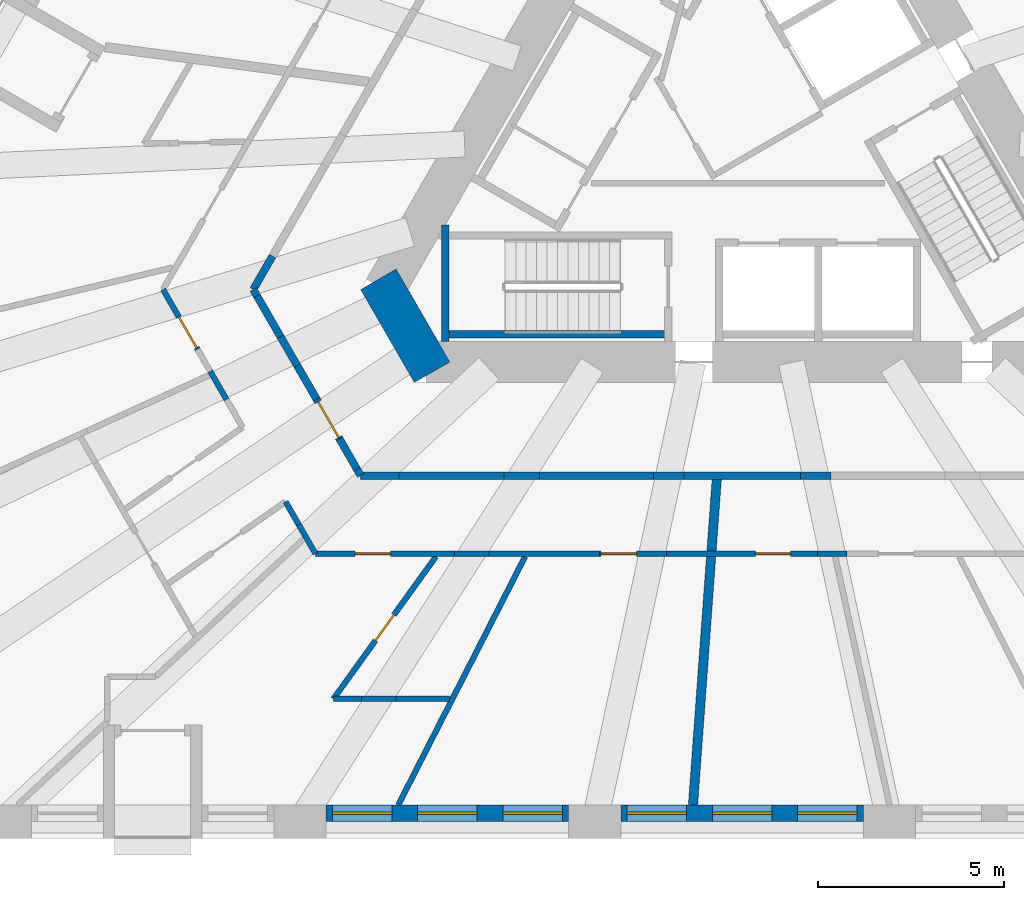
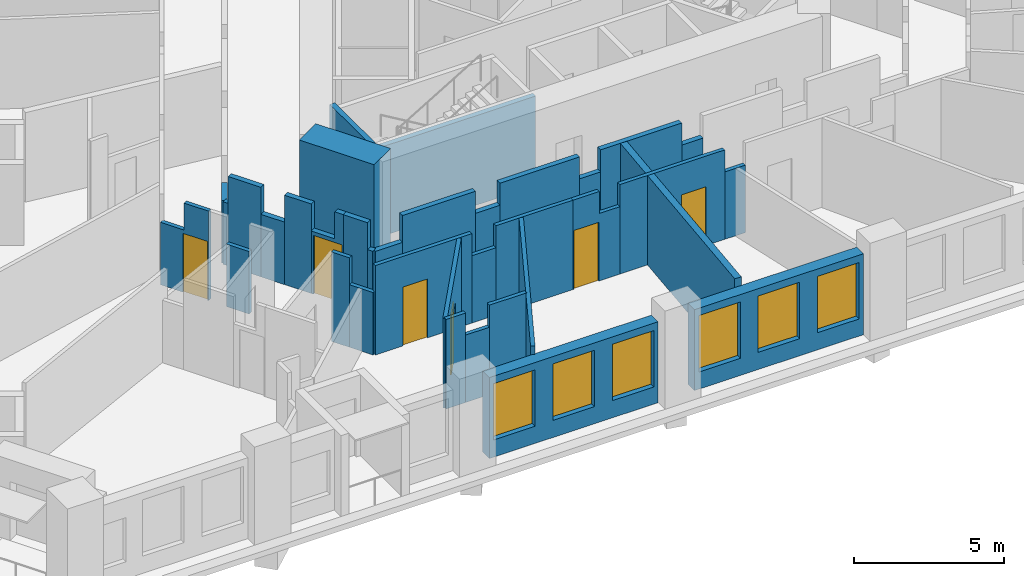
# One storey, part 3 of 14: 36 walls, 6 doors, 6 windows, 12 openings.
"""IFC4 building model written with IfcOpenShell, lengths in metres."""

from ifc_helpers import new_model, si_unit, direction, frame, frame_2d, origin, place, context, subcontext, project, spatial, polyline, rectangle, outline, extrude, material, layer, layer_set, type_object, element, fill, save


model = new_model("IFC4")

# Units and contexts
model_context = context("Model", 3, precision=1e-05, world=origin(), true_north=direction((0.0, 1.0)))
body_context = subcontext(model_context, "Body", "Model", "MODEL_VIEW")
ifc_project = project(units=[si_unit("LENGTHUNIT", "METRE"), si_unit("AREAUNIT", "SQUARE_METRE"), si_unit("VOLUMEUNIT", "CUBIC_METRE"), si_unit("PLANEANGLEUNIT", "RADIAN"), si_unit("MASSUNIT", "GRAM", prefix="KILO")], contexts=[model_context])

# Site, building, storey
site_placement = place(None, origin())
site = spatial("IfcSite", under=ifc_project, at=site_placement, CompositionType="ELEMENT")
building_placement = place(site_placement, origin())
building = spatial("IfcBuilding", under=site, at=building_placement, Name="Tramontana Tower", CompositionType="ELEMENT")
storey_placement = place(building_placement, frame((0.0, 0.0, 30.0)))
storey = spatial("IfcBuildingStorey", under=building, at=storey_placement, Name="L05", CompositionType="ELEMENT", Elevation=30.0)

# Walls
ifc_material_1 = material(Name="Concrete 70 MPa", Category="concrete")
ifc_layer_1 = layer(ifc_material_1, 1.10009765625)
ifc_layer_set_1 = layer_set([ifc_layer_1], Name="Core wall 1100 70 MPa")
wall_type_1 = type_object("IfcWallType", Name="Core wall 1100 70 MPa", PredefinedType="SHEAR", material=ifc_layer_set_1)
wall_1_placement = place(storey_placement, frame((-9.771728515625, -3.97509765625, 0.0), z_axis=(0.0, 0.0, 1.0), x_axis=(0.499995765644, -0.866027848477, 0.0)))
element("IfcWall", 1, at=wall_1_placement, inside=storey, type_object=wall_type_1, Name="Core wall C2 L05", PredefinedType="SHEAR", context=body_context, shape_type="SweptSolid", body=[
    extrude(rectangle(XDim=2.88671875, YDim=1.10009765625, at=frame_2d((1.443359375, 0.0))), origin(), (0.0, 0.0, 1.0), 4.0),
])
ifc_material_2 = material(Name="Blockwork", Category="masonry")
ifc_layer_2 = layer(ifc_material_2, 0.199951171875)
ifc_layer_set_2 = layer_set([ifc_layer_2], Name="ENTRY WALL 200")
wall_type_2 = type_object("IfcWallType", Name="ENTRY WALL 200", PredefinedType="SOLIDWALL", material=ifc_layer_set_2)
wall_2_placement = place(storey_placement, frame((2.383056640625, -9.25, 0.0), z_axis=(0.0, 0.0, 1.0), x_axis=(-1.0, 0.0, 0.0)))
element("IfcWall", 2, at=wall_2_placement, inside=storey, type_object=wall_type_2, Name="Wall v01-ew2-4", PredefinedType="SOLIDWALL", context=body_context, shape_type="SweptSolid", body=[
    extrude(rectangle(XDim=0.81787109375, YDim=0.199951171875, at=frame_2d((0.408935546875, 0.0))), origin(), (0.0, 0.0, 1.0), 2.75),
])
wall_3_placement = place(storey_placement, frame((1.565185546875, -9.25, 0.0), z_axis=(0.0, 0.0, 1.0), x_axis=(-1.0, 0.0, 0.0)))
element("IfcWall", 3, at=wall_3_placement, inside=storey, type_object=wall_type_2, Name="Wall v01-ew2-5", PredefinedType="SOLIDWALL", context=body_context, shape_type="SweptSolid", body=[
    extrude(rectangle(XDim=3.13037109375, YDim=0.199951171875, at=frame_2d((1.565185546875, 0.0))), origin(), (0.0, 0.0, 1.0), 3.64990234375),
])
wall_4_placement = place(storey_placement, frame((-1.565185546875, -9.25, 0.0), z_axis=(0.0, 0.0, 1.0), x_axis=(-1.0, 0.0, 0.0)))
element("IfcWall", 4, at=wall_4_placement, inside=storey, type_object=wall_type_2, Name="Wall v01-ew2-6", PredefinedType="SOLIDWALL", context=body_context, shape_type="SweptSolid", body=[
    extrude(rectangle(XDim=0.81787109375, YDim=0.199951171875, at=frame_2d((0.408935546875, 0.0))), origin(), (0.0, 0.0, 1.0), 2.75),
])
wall_5_placement = place(storey_placement, frame((-2.383056640625, -9.25, 0.0), z_axis=(0.0, 0.0, 1.0), x_axis=(-1.0, 0.0, 0.0)))
element("IfcWall", 5, at=wall_5_placement, inside=storey, type_object=wall_type_2, Name="Wall v01-ew2-7", PredefinedType="SOLIDWALL", context=body_context, shape_type="SweptSolid", body=[
    extrude(rectangle(XDim=3.064453125, YDim=0.199951171875, at=frame_2d((1.5322265625, 0.0))), origin(), (0.0, 0.0, 1.0), 3.64990234375),
])
wall_6_placement = place(storey_placement, frame((-5.447509765625, -9.25, 0.0), z_axis=(0.0, 0.0, 1.0), x_axis=(-1.0, 0.0, 0.0)))
element("IfcWall", 6, at=wall_6_placement, inside=storey, type_object=wall_type_2, Name="Wall v01-ew2-8", PredefinedType="SOLIDWALL", context=body_context, shape_type="SweptSolid", body=[
    extrude(rectangle(XDim=0.949951171875, YDim=0.199951171875, at=frame_2d((0.47509765625, 0.0))), origin(), (0.0, 0.0, 1.0), 2.75),
])
wall_7_placement = place(storey_placement, frame((-6.3974609375, -9.25, 0.0), z_axis=(0.0, 0.0, 1.0), x_axis=(-1.0, 0.0, 0.0)))
element("IfcWall", 7, at=wall_7_placement, inside=storey, type_object=wall_type_2, Name="Wall v01-ew2-9", PredefinedType="SOLIDWALL", context=body_context, shape_type="SweptSolid", body=[
    extrude(rectangle(XDim=2.815185546875, YDim=0.199951171875, at=frame_2d((1.40771484375, 0.0))), origin(), (0.0, 0.0, 1.0), 3.64990234375),
])
wall_8_placement = place(storey_placement, frame((-9.212646484375, -9.25, 0.0), z_axis=(0.0, 0.0, 1.0), x_axis=(-1.0, 0.0, 0.0)))
element("IfcWall", 8, at=wall_8_placement, inside=storey, type_object=wall_type_2, Name="Wall v01-ew2-10", PredefinedType="SOLIDWALL", context=body_context, shape_type="SweptSolid", body=[
    extrude(rectangle(XDim=1.035400390625, YDim=0.199951171875, at=frame_2d((0.517578125, 0.0))), origin(), (0.0, 0.0, 1.0), 2.550048828125),
])
wall_9_placement = place(storey_placement, frame((-10.248046875, -9.25, 0.0), z_axis=(0.0, 0.0, 1.0), x_axis=(-0.499865263774, 0.866103179807, 0.0)))
element("IfcWall", 9, at=wall_9_placement, inside=storey, type_object=wall_type_2, Name="Wall v01-ew3-0", PredefinedType="SOLIDWALL", context=body_context, shape_type="SweptSolid", body=[
    extrude(rectangle(XDim=0.197265625, YDim=0.199951171875, at=frame_2d((0.0986328125, 0.0))), origin(), (0.0, 0.0, 1.0), 2.550048828125),
])
wall_10_placement = place(storey_placement, frame((-10.3466796875, -9.0791015625, 0.0), z_axis=(0.0, 0.0, 1.0), x_axis=(-0.499925626596, 0.866068339032, 0.0)))
element("IfcWall", 10, at=wall_10_placement, inside=storey, type_object=wall_type_2, Name="Wall v01-ew3-1", PredefinedType="SOLIDWALL", context=body_context, shape_type="SweptSolid", body=[
    extrude(rectangle(XDim=0.936279296875, YDim=0.199951171875, at=frame_2d((0.46826171875, 0.0))), origin(), (0.0, 0.0, 1.0), 3.64990234375),
])

# Wall, opening, door
wall_11_placement = place(storey_placement, frame((-10.814697265625, -8.268310546875, 0.0), z_axis=(0.0, 0.0, 1.0), x_axis=(-0.500036725936, 0.866004199017, 0.0)))
wall_11 = element("IfcWall", 11, at=wall_11_placement, inside=storey, type_object=wall_type_2, Name="Wall v01-ew3-2", PredefinedType="SOLIDWALL", context=body_context, shape_type="SweptSolid", body=[
    extrude(outline(polyline([(0.0, 0.0), (1.23291015625, 0.0), (1.23291015625, 2.550048828125), (0.33056640625, 2.550048828125), (0.33056640625, 3.64990234375), (0.0, 3.64990234375), (0.0, 0.0)])), frame((0.0, 0.10009765625, 0.0), z_axis=(0.0, -1.0, 0.0), x_axis=(1.0, 0.0, 0.0)), (0.0, 0.0, 1.0), 0.199951171875),
])
opening_1_placement = place(wall_11_placement, frame((0.050048828125, 0.0, 0.0)))
opening_1 = element("IfcOpeningElement", 12, at=opening_1_placement, cuts=wall_11, Name="Opening B0B-35", PredefinedType="OPENING", context=body_context, shape_type="SweptSolid", body=[
    extrude(rectangle(XDim=1.10009765625, YDim=2.39990234375, at=frame_2d((0.550048828125, 1.199951171875))), frame((0.0, 0.10986328125, 0.0), z_axis=(0.0, -1.0, 0.0), x_axis=(1.0, 0.0, 0.0)), (0.0, 0.0, 1.0), 0.219970703125),
])
ifc_material_3 = material(Name="Painted timber", Category="wood")
door_type_1 = type_object("IfcDoorType", Name="DOOR ENTRY 1100", OperationType="SINGLE_SWING_LEFT", PredefinedType="DOOR", material=ifc_material_3)
door_1_placement = place(opening_1_placement, origin())
door_1 = element("IfcDoor", 13, at=door_1_placement, inside=storey, type_object=door_type_1, Name="Door B0B-35", OperationType="SINGLE_SWING_LEFT", OverallHeight=2.39990234375, OverallWidth=1.10009765625, PredefinedType="DOOR", context=body_context, shape_type="SweptSolid", body=[
    extrude(rectangle(XDim=1.10009765625, YDim=2.39990234375, at=frame_2d((0.550048828125, 1.199951171875))), frame((0.0, 0.02490234375, 0.0), z_axis=(0.0, -1.0, 0.0), x_axis=(1.0, 0.0, 0.0)), (0.0, 0.0, 1.0), 0.050048828125),
])
fill(opening_1, door_1)

# Walls
wall_12_placement = place(storey_placement, frame((-11.43115234375, -7.20068359375, 0.0), z_axis=(0.0, 0.0, 1.0), x_axis=(-0.499898446243, 0.866084027935, 0.0)))
element("IfcWall", 14, at=wall_12_placement, inside=storey, type_object=wall_type_2, Name="Wall v01-ew3-3", PredefinedType="SOLIDWALL", context=body_context, shape_type="SweptSolid", body=[
    extrude(rectangle(XDim=1.040771484375, YDim=0.199951171875, at=frame_2d((0.5205078125, 0.0))), origin(), (0.0, 0.0, 1.0), 3.64990234375),
])
wall_13_placement = place(storey_placement, frame((-11.951416015625, -6.29931640625, 0.0), z_axis=(0.0, 0.0, 1.0), x_axis=(-0.500097243556, 0.865969252911, 0.0)))
element("IfcWall", 15, at=wall_13_placement, inside=storey, type_object=wall_type_2, Name="Wall v01-ew3-4", PredefinedType="SOLIDWALL", context=body_context, shape_type="SweptSolid", body=[
    extrude(rectangle(XDim=0.902099609375, YDim=0.199951171875, at=frame_2d((0.451171875, 0.0))), origin(), (0.0, 0.0, 1.0), 2.550048828125),
])
wall_14_placement = place(storey_placement, frame((-12.402587890625, -5.51806640625, 0.0), z_axis=(0.0, 0.0, 1.0), x_axis=(-0.500056058743, 0.865993035835, 0.0)))
element("IfcWall", 16, at=wall_14_placement, inside=storey, type_object=wall_type_2, Name="Wall v01-ew3-5", PredefinedType="SOLIDWALL", context=body_context, shape_type="SweptSolid", body=[
    extrude(rectangle(XDim=1.266845703125, YDim=0.199951171875, at=frame_2d((0.63330078125, 0.0))), origin(), (0.0, 0.0, 1.0), 3.64990234375),
])
wall_15_placement = place(storey_placement, frame((-13.0361328125, -4.4208984375, 0.0), z_axis=(0.0, 0.0, 1.0), x_axis=(-0.499865263774, 0.866103179807, 0.0)))
element("IfcWall", 17, at=wall_15_placement, inside=storey, type_object=wall_type_2, Name="Wall v01-ew3-6", PredefinedType="SOLIDWALL", context=body_context, shape_type="SweptSolid", body=[
    extrude(rectangle(XDim=0.197265625, YDim=0.199951171875, at=frame_2d((0.0986328125, 0.0))), origin(), (0.0, 0.0, 1.0), 2.550048828125),
])
wall_16_placement = place(storey_placement, frame((-13.134765625, -4.25, 0.0), z_axis=(0.0, 0.0, 1.0), x_axis=(0.500171514983, 0.865926356915, 0.0)))
element("IfcWall", 18, at=wall_16_placement, inside=storey, type_object=wall_type_2, Name="Wall v01-ew4-0", PredefinedType="SOLIDWALL", context=body_context, shape_type="SweptSolid", body=[
    extrude(rectangle(XDim=1.035400390625, YDim=0.199951171875, at=frame_2d((0.517578125, 0.0))), origin(), (0.0, 0.0, 1.0), 2.550048828125),
])

# Wall, openings, windows
ifc_material_4 = material(Name="Precast concrete 60 MPa", Category="concrete")
ifc_layer_3 = layer(ifc_material_4, 0.449951171875)
ifc_layer_set_3 = layer_set([ifc_layer_3], Name="Precast concrete 60 MPa, 450 mm")
wall_type_3 = type_object("IfcWallType", Name="EW1 Stone-faced precast wall 450", PredefinedType="SOLIDWALL", material=ifc_layer_set_3)
wall_17_placement = place(storey_placement, frame((-11.177001953125, -18.324951171875, 0.0), z_axis=(0.0, 0.0, 1.0), x_axis=(1.0, 0.0, 0.0)))
wall_17 = element("IfcWall", 19, at=wall_17_placement, inside=storey, type_object=wall_type_3, Name="External wall L05 face 1 bay 3", PredefinedType="SOLIDWALL", context=body_context, shape_type="SweptSolid", body=[
    extrude(rectangle(XDim=6.51806640625, YDim=0.449951171875, at=frame_2d((3.259033203125, 0.0))), origin(), (0.0, 0.0, 1.0), 3.300048828125),
])
opening_2_placement = place(wall_17_placement, frame((0.169677734375, 0.0, 0.699951171875)))
opening_2 = element("IfcOpeningElement", 20, at=opening_2_placement, cuts=wall_17, Name="Opening M1", PredefinedType="OPENING", context=body_context, shape_type="SweptSolid", body=[
    extrude(rectangle(XDim=1.60009765625, YDim=2.300048828125, at=frame_2d((0.800048828125, 1.14990234375))), frame((0.0, 0.23486328125, 0.0), z_axis=(0.0, -1.0, 0.0), x_axis=(1.0, 0.0, 0.0)), (0.0, 0.0, 1.0), 0.469970703125),
])
opening_3_placement = place(wall_17_placement, frame((2.458984375, 0.0, 0.699951171875)))
opening_3 = element("IfcOpeningElement", 21, at=opening_3_placement, cuts=wall_17, Name="Opening M1", PredefinedType="OPENING", context=body_context, shape_type="SweptSolid", body=[
    extrude(rectangle(XDim=1.60009765625, YDim=2.300048828125, at=frame_2d((0.800048828125, 1.14990234375))), frame((0.0, 0.23486328125, 0.0), z_axis=(0.0, -1.0, 0.0), x_axis=(1.0, 0.0, 0.0)), (0.0, 0.0, 1.0), 0.469970703125),
])
opening_4_placement = place(wall_17_placement, frame((4.748291015625, 0.0, 0.699951171875)))
opening_4 = element("IfcOpeningElement", 22, at=opening_4_placement, cuts=wall_17, Name="Opening M1", PredefinedType="OPENING", context=body_context, shape_type="SweptSolid", body=[
    extrude(rectangle(XDim=1.60009765625, YDim=2.300048828125, at=frame_2d((0.800048828125, 1.14990234375))), frame((0.0, 0.23486328125, 0.0), z_axis=(0.0, -1.0, 0.0), x_axis=(1.0, 0.0, 0.0)), (0.0, 0.0, 1.0), 0.469970703125),
])
ifc_material_5 = material(Name="Aluminum frame, double glazing unit", Category="aluminium")
window_type = type_object("IfcWindowType", Name="M1 Window 1.6 x 2.3", PartitioningType="SINGLE_PANEL", PredefinedType="WINDOW", material=ifc_material_5)
window_1_placement = place(opening_2_placement, origin())
window_1 = element("IfcWindow", 23, at=window_1_placement, inside=storey, type_object=window_type, Name="Window M1 L05 face 1 module 7", OverallHeight=2.300048828125, OverallWidth=1.60009765625, PartitioningType="SINGLE_PANEL", PredefinedType="WINDOW", context=body_context, shape_type="SweptSolid", body=[
    extrude(rectangle(XDim=1.60009765625, YDim=2.300048828125, at=frame_2d((0.800048828125, 1.14990234375))), frame((0.0, 0.030029296875, 0.0), z_axis=(0.0, -1.0, 0.0), x_axis=(1.0, 0.0, 0.0)), (0.0, 0.0, 1.0), 0.06005859375),
])
fill(opening_2, window_1)
window_2_placement = place(opening_3_placement, origin())
window_2 = element("IfcWindow", 24, at=window_2_placement, inside=storey, type_object=window_type, Name="Window M1 L05 face 1 module 8", OverallHeight=2.300048828125, OverallWidth=1.60009765625, PartitioningType="SINGLE_PANEL", PredefinedType="WINDOW", context=body_context, shape_type="SweptSolid", body=[
    extrude(rectangle(XDim=1.60009765625, YDim=2.300048828125, at=frame_2d((0.800048828125, 1.14990234375))), frame((0.0, 0.030029296875, 0.0), z_axis=(0.0, -1.0, 0.0), x_axis=(1.0, 0.0, 0.0)), (0.0, 0.0, 1.0), 0.06005859375),
])
fill(opening_3, window_2)
window_3_placement = place(opening_4_placement, origin())
window_3 = element("IfcWindow", 25, at=window_3_placement, inside=storey, type_object=window_type, Name="Window M1 L05 face 1 module 9", OverallHeight=2.300048828125, OverallWidth=1.60009765625, PartitioningType="SINGLE_PANEL", PredefinedType="WINDOW", context=body_context, shape_type="SweptSolid", body=[
    extrude(rectangle(XDim=1.60009765625, YDim=2.300048828125, at=frame_2d((0.800048828125, 1.14990234375))), frame((0.0, 0.030029296875, 0.0), z_axis=(0.0, -1.0, 0.0), x_axis=(1.0, 0.0, 0.0)), (0.0, 0.0, 1.0), 0.06005859375),
])
fill(opening_4, window_3)

wall_18_placement = place(storey_placement, frame((-3.259033203125, -18.324951171875, 0.0), z_axis=(0.0, 0.0, 1.0), x_axis=(1.0, 0.0, 0.0)))
wall_18 = element("IfcWall", 26, at=wall_18_placement, inside=storey, type_object=wall_type_3, Name="External wall L05 face 1 bay 4", PredefinedType="SOLIDWALL", context=body_context, shape_type="SweptSolid", body=[
    extrude(rectangle(XDim=6.51806640625, YDim=0.449951171875, at=frame_2d((3.259033203125, 0.0))), origin(), (0.0, 0.0, 1.0), 3.300048828125),
])
opening_5_placement = place(wall_18_placement, frame((0.169677734375, 0.0, 0.699951171875)))
opening_5 = element("IfcOpeningElement", 27, at=opening_5_placement, cuts=wall_18, Name="Opening M1", PredefinedType="OPENING", context=body_context, shape_type="SweptSolid", body=[
    extrude(rectangle(XDim=1.60009765625, YDim=2.300048828125, at=frame_2d((0.800048828125, 1.14990234375))), frame((0.0, 0.23486328125, 0.0), z_axis=(0.0, -1.0, 0.0), x_axis=(1.0, 0.0, 0.0)), (0.0, 0.0, 1.0), 0.469970703125),
])
opening_6_placement = place(wall_18_placement, frame((2.458984375, 0.0, 0.699951171875)))
opening_6 = element("IfcOpeningElement", 28, at=opening_6_placement, cuts=wall_18, Name="Opening M1", PredefinedType="OPENING", context=body_context, shape_type="SweptSolid", body=[
    extrude(rectangle(XDim=1.60009765625, YDim=2.300048828125, at=frame_2d((0.800048828125, 1.14990234375))), frame((0.0, 0.23486328125, 0.0), z_axis=(0.0, -1.0, 0.0), x_axis=(1.0, 0.0, 0.0)), (0.0, 0.0, 1.0), 0.469970703125),
])
opening_7_placement = place(wall_18_placement, frame((4.748291015625, 0.0, 0.699951171875)))
opening_7 = element("IfcOpeningElement", 29, at=opening_7_placement, cuts=wall_18, Name="Opening M1", PredefinedType="OPENING", context=body_context, shape_type="SweptSolid", body=[
    extrude(rectangle(XDim=1.60009765625, YDim=2.300048828125, at=frame_2d((0.800048828125, 1.14990234375))), frame((0.0, 0.23486328125, 0.0), z_axis=(0.0, -1.0, 0.0), x_axis=(1.0, 0.0, 0.0)), (0.0, 0.0, 1.0), 0.469970703125),
])
window_4_placement = place(opening_5_placement, origin())
window_4 = element("IfcWindow", 30, at=window_4_placement, inside=storey, type_object=window_type, Name="Window M1 L05 face 1 module 10", OverallHeight=2.300048828125, OverallWidth=1.60009765625, PartitioningType="SINGLE_PANEL", PredefinedType="WINDOW", context=body_context, shape_type="SweptSolid", body=[
    extrude(rectangle(XDim=1.60009765625, YDim=2.300048828125, at=frame_2d((0.800048828125, 1.14990234375))), frame((0.0, 0.030029296875, 0.0), z_axis=(0.0, -1.0, 0.0), x_axis=(1.0, 0.0, 0.0)), (0.0, 0.0, 1.0), 0.06005859375),
])
fill(opening_5, window_4)
window_5_placement = place(opening_6_placement, origin())
window_5 = element("IfcWindow", 31, at=window_5_placement, inside=storey, type_object=window_type, Name="Window M1 L05 face 1 module 11", OverallHeight=2.300048828125, OverallWidth=1.60009765625, PartitioningType="SINGLE_PANEL", PredefinedType="WINDOW", context=body_context, shape_type="SweptSolid", body=[
    extrude(rectangle(XDim=1.60009765625, YDim=2.300048828125, at=frame_2d((0.800048828125, 1.14990234375))), frame((0.0, 0.030029296875, 0.0), z_axis=(0.0, -1.0, 0.0), x_axis=(1.0, 0.0, 0.0)), (0.0, 0.0, 1.0), 0.06005859375),
])
fill(opening_6, window_5)
window_6_placement = place(opening_7_placement, origin())
window_6 = element("IfcWindow", 32, at=window_6_placement, inside=storey, type_object=window_type, Name="Window M1 L05 face 1 module 12", OverallHeight=2.300048828125, OverallWidth=1.60009765625, PartitioningType="SINGLE_PANEL", PredefinedType="WINDOW", context=body_context, shape_type="SweptSolid", body=[
    extrude(rectangle(XDim=1.60009765625, YDim=2.300048828125, at=frame_2d((0.800048828125, 1.14990234375))), frame((0.0, 0.030029296875, 0.0), z_axis=(0.0, -1.0, 0.0), x_axis=(1.0, 0.0, 0.0)), (0.0, 0.0, 1.0), 0.06005859375),
])
fill(opening_7, window_6)

# Wall
ifc_material_6 = material(Name="Gypsum board partition")
ifc_layer_4 = layer(ifc_material_6, 0.14990234375)
ifc_layer_set_4 = layer_set([ifc_layer_4], Name="PARTITION 150")
wall_type_4 = type_object("IfcWallType", Name="PARTITION 150", PredefinedType="PARTITIONING", material=ifc_layer_set_4)
wall_19_placement = place(storey_placement, frame((-13.85205078125, -7.207763671875, 0.0), z_axis=(0.0, 0.0, 1.0), x_axis=(-0.499850947872, 0.86611144197, 0.0)))
element("IfcWall", 33, at=wall_19_placement, inside=storey, type_object=wall_type_4, Name="Wall v01-pw09-1", PredefinedType="PARTITIONING", context=body_context, shape_type="SweptSolid", body=[
    extrude(rectangle(XDim=0.877197265625, YDim=0.14990234375, at=frame_2d((0.4384765625, 0.0))), origin(), (0.0, 0.0, 1.0), 2.550048828125),
])

# Wall, opening, door
wall_20_placement = place(storey_placement, frame((-14.631103515625, -5.8583984375, 0.0), z_axis=(0.0, 0.0, 1.0), x_axis=(-0.499942461466, 0.866058621124, 0.0)))
wall_20 = element("IfcWall", 34, at=wall_20_placement, inside=storey, type_object=wall_type_4, Name="Wall v01-pw09-3", PredefinedType="PARTITIONING", context=body_context, shape_type="SweptSolid", body=[
    extrude(outline(polyline([(0.0, 0.0), (1.857177734375, 0.0), (1.857177734375, 2.550048828125), (0.95068359375, 2.550048828125), (0.95068359375, 3.64990234375), (0.0, 3.64990234375), (0.0, 0.0)])), frame((0.0, 0.074951171875, 0.0), z_axis=(0.0, -1.0, 0.0), x_axis=(1.0, 0.0, 0.0)), (0.0, 0.0, 1.0), 0.14990234375),
])
opening_8_placement = place(wall_20_placement, frame((0.050048828125, 0.0, 0.0)))
opening_8 = element("IfcOpeningElement", 35, at=opening_8_placement, cuts=wall_20, Name="Opening B0B-17", PredefinedType="OPENING", context=body_context, shape_type="SweptSolid", body=[
    extrude(rectangle(XDim=0.949951171875, YDim=2.39990234375, at=frame_2d((0.47509765625, 1.199951171875))), frame((0.0, 0.0849609375, 0.0), z_axis=(0.0, -1.0, 0.0), x_axis=(1.0, 0.0, 0.0)), (0.0, 0.0, 1.0), 0.169921875),
])
ifc_material_7 = material(Name="Painted timber", Category="wood")
door_type_2 = type_object("IfcDoorType", Name="DOOR ROOM 950", OperationType="SINGLE_SWING_LEFT", PredefinedType="DOOR", material=ifc_material_7)
door_2_placement = place(opening_8_placement, origin())
door_2 = element("IfcDoor", 36, at=door_2_placement, inside=storey, type_object=door_type_2, Name="Door B0B-17", OperationType="SINGLE_SWING_LEFT", OverallHeight=2.39990234375, OverallWidth=0.949951171875, PredefinedType="DOOR", context=body_context, shape_type="SweptSolid", body=[
    extrude(rectangle(XDim=0.949951171875, YDim=2.39990234375, at=frame_2d((0.47509765625, 1.199951171875))), frame((0.0, 0.02490234375, 0.0), z_axis=(0.0, -1.0, 0.0), x_axis=(1.0, 0.0, 0.0)), (0.0, 0.0, 1.0), 0.050048828125),
])
fill(opening_8, door_2)

# Walls
wall_21_placement = place(storey_placement, frame((-11.46044921875, -11.35009765625, 0.0), z_axis=(0.0, 0.0, 1.0), x_axis=(-0.499846793097, 0.866113839764, 0.0)))
element("IfcWall", 37, at=wall_21_placement, inside=storey, type_object=wall_type_4, Name="Wall v01-pw13-0", PredefinedType="PARTITIONING", context=body_context, shape_type="SweptSolid", body=[
    extrude(rectangle(XDim=0.906494140625, YDim=0.14990234375, at=frame_2d((0.453125, 0.0))), origin(), (0.0, 0.0, 1.0), 2.550048828125),
])
wall_22_placement = place(storey_placement, frame((-11.91357421875, -10.56494140625, 0.0), z_axis=(0.0, 0.0, 1.0), x_axis=(-0.500081682786, 0.86597823907, 0.0)))
element("IfcWall", 38, at=wall_22_placement, inside=storey, type_object=wall_type_4, Name="Wall v01-pw13-1", PredefinedType="PARTITIONING", context=body_context, shape_type="SweptSolid", body=[
    extrude(rectangle(XDim=0.7060546875, YDim=0.14990234375, at=frame_2d((0.35302734375, 0.0))), origin(), (0.0, 0.0, 1.0), 3.64990234375),
])

# Wall, opening, door
wall_23_placement = place(storey_placement, frame((-8.2255859375, -11.425048828125, 0.0), z_axis=(0.0, 0.0, 1.0), x_axis=(-0.584296538354, -0.811540236382, 0.0)))
wall_23 = element("IfcWall", 39, at=wall_23_placement, inside=storey, type_object=wall_type_4, Name="Wall v01-pw14", PredefinedType="PARTITIONING", context=body_context, shape_type="SweptSolid", body=[
    extrude(rectangle(XDim=4.713134765625, YDim=0.14990234375, at=frame_2d((2.3564453125, 0.0))), origin(), (0.0, 0.0, 1.0), 3.64990234375),
])
opening_9_placement = place(wall_23_placement, frame((1.931640625, 0.0, 0.0)))
opening_9 = element("IfcOpeningElement", 40, at=opening_9_placement, cuts=wall_23, Name="Opening B0B-22", PredefinedType="OPENING", context=body_context, shape_type="SweptSolid", body=[
    extrude(rectangle(XDim=0.85009765625, YDim=2.39990234375, at=frame_2d((0.425048828125, 1.199951171875))), frame((0.0, 0.0849609375, 0.0), z_axis=(0.0, -1.0, 0.0), x_axis=(1.0, 0.0, 0.0)), (0.0, 0.0, 1.0), 0.169921875),
])
ifc_material_8 = material(Name="Painted timber", Category="wood")
door_type_3 = type_object("IfcDoorType", Name="DOOR BATH 850", OperationType="SINGLE_SWING_LEFT", PredefinedType="DOOR", material=ifc_material_8)
door_3_placement = place(opening_9_placement, origin())
door_3 = element("IfcDoor", 41, at=door_3_placement, inside=storey, type_object=door_type_3, Name="Door B0B-22", OperationType="SINGLE_SWING_RIGHT", OverallHeight=2.39990234375, OverallWidth=0.85009765625, PredefinedType="DOOR", context=body_context, shape_type="SweptSolid", body=[
    extrude(rectangle(XDim=0.85009765625, YDim=2.39990234375, at=frame_2d((0.425048828125, 1.199951171875))), frame((0.0, 0.02490234375, 0.0), z_axis=(0.0, -1.0, 0.0), x_axis=(1.0, 0.0, 0.0)), (0.0, 0.0, 1.0), 0.050048828125),
])
fill(opening_9, door_3)

# Walls
wall_24_placement = place(storey_placement, frame((-7.867431640625, -15.25, 0.0), z_axis=(0.0, 0.0, 1.0), x_axis=(-1.0, 0.0, 0.0)))
element("IfcWall", 42, at=wall_24_placement, inside=storey, type_object=wall_type_4, Name="Wall v01-pw19-0", PredefinedType="PARTITIONING", context=body_context, shape_type="SweptSolid", body=[
    extrude(rectangle(XDim=1.4365234375, YDim=0.14990234375, at=frame_2d((0.71826171875, 0.0))), origin(), (0.0, 0.0, 1.0), 3.64990234375),
])
wall_25_placement = place(storey_placement, frame((-9.303955078125, -15.25, 0.0), z_axis=(0.0, 0.0, 1.0), x_axis=(-1.0, 0.0, 0.0)))
element("IfcWall", 43, at=wall_25_placement, inside=storey, type_object=wall_type_4, Name="Wall v01-pw19-1", PredefinedType="PARTITIONING", context=body_context, shape_type="SweptSolid", body=[
    extrude(rectangle(XDim=0.920166015625, YDim=0.14990234375, at=frame_2d((0.4599609375, 0.0))), origin(), (0.0, 0.0, 1.0), 2.75),
])
wall_26_placement = place(storey_placement, frame((-10.22412109375, -15.25, 0.0), z_axis=(0.0, 0.0, 1.0), x_axis=(-1.0, 0.0, 0.0)))
element("IfcWall", 44, at=wall_26_placement, inside=storey, type_object=wall_type_4, Name="Wall v01-pw19-2", PredefinedType="PARTITIONING", context=body_context, shape_type="SweptSolid", body=[
    extrude(rectangle(XDim=0.75537109375, YDim=0.14990234375, at=frame_2d((0.377685546875, 0.0))), origin(), (0.0, 0.0, 1.0), 3.64990234375),
])
wall_27_placement = place(storey_placement, frame((-5.830810546875, -11.425048828125, 0.0), z_axis=(0.0, 0.0, 1.0), x_axis=(-0.454600112476, -0.890695648208, 0.0)))
element("IfcWall", 45, at=wall_27_placement, inside=storey, type_object=wall_type_4, Name="Wall v01-pw22", PredefinedType="PARTITIONING", context=body_context, shape_type="SweptSolid", body=[
    extrude(rectangle(XDim=7.493896484375, YDim=0.14990234375, at=frame_2d((3.7470703125, 0.0))), origin(), (0.0, 0.0, 1.0), 3.64990234375),
])
wall_28_placement = place(storey_placement, frame((2.818603515625, -11.35009765625, 0.0), z_axis=(0.0, 0.0, 1.0), x_axis=(-1.0, 0.0, 0.0)))
element("IfcWall", 46, at=wall_28_placement, inside=storey, type_object=wall_type_4, Name="Wall v01-pw45-3", PredefinedType="PARTITIONING", context=body_context, shape_type="SweptSolid", body=[
    extrude(rectangle(XDim=0.79248046875, YDim=0.14990234375, at=frame_2d((0.396240234375, 0.0))), origin(), (0.0, 0.0, 1.0), 2.75),
])

# Wall, opening, door
wall_29_placement = place(storey_placement, frame((2.026123046875, -11.35009765625, 0.0), z_axis=(0.0, 0.0, 1.0), x_axis=(-1.0, 0.0, 0.0)))
wall_29 = element("IfcWall", 47, at=wall_29_placement, inside=storey, type_object=wall_type_4, Name="Wall v01-pw45-4", PredefinedType="PARTITIONING", context=body_context, shape_type="SweptSolid", body=[
    extrude(rectangle(XDim=4.05224609375, YDim=0.14990234375, at=frame_2d((2.026123046875, 0.0))), origin(), (0.0, 0.0, 1.0), 3.64990234375),
])
opening_10_placement = place(wall_29_placement, frame((0.72216796875, 0.0, 0.0)))
opening_10 = element("IfcOpeningElement", 48, at=opening_10_placement, cuts=wall_29, Name="Opening B0B-29", PredefinedType="OPENING", context=body_context, shape_type="SweptSolid", body=[
    extrude(rectangle(XDim=0.949951171875, YDim=2.39990234375, at=frame_2d((0.47509765625, 1.199951171875))), frame((0.0, 0.0849609375, 0.0), z_axis=(0.0, -1.0, 0.0), x_axis=(1.0, 0.0, 0.0)), (0.0, 0.0, 1.0), 0.169921875),
])
door_4_placement = place(opening_10_placement, origin())
door_4 = element("IfcDoor", 49, at=door_4_placement, inside=storey, type_object=door_type_2, Name="Door B0B-29", OperationType="SINGLE_SWING_LEFT", OverallHeight=2.39990234375, OverallWidth=0.949951171875, PredefinedType="DOOR", context=body_context, shape_type="SweptSolid", body=[
    extrude(rectangle(XDim=0.949951171875, YDim=2.39990234375, at=frame_2d((0.47509765625, 1.199951171875))), frame((0.0, 0.02490234375, 0.0), z_axis=(0.0, -1.0, 0.0), x_axis=(1.0, 0.0, 0.0)), (0.0, 0.0, 1.0), 0.050048828125),
])
fill(opening_10, door_4)

wall_30_placement = place(storey_placement, frame((-2.026123046875, -11.35009765625, 0.0), z_axis=(0.0, 0.0, 1.0), x_axis=(-1.0, 0.0, 0.0)))
wall_30 = element("IfcWall", 50, at=wall_30_placement, inside=storey, type_object=wall_type_4, Name="Wall v01-pw45-5", PredefinedType="PARTITIONING", context=body_context, shape_type="SweptSolid", body=[
    extrude(outline(polyline([(0.0, 0.0), (1.810546875, 0.0), (1.810546875, 3.64990234375), (0.79248046875, 3.64990234375), (0.79248046875, 2.75), (0.0, 2.75), (0.0, 0.0)])), frame((0.0, 0.074951171875, 0.0), z_axis=(0.0, -1.0, 0.0), x_axis=(1.0, 0.0, 0.0)), (0.0, 0.0, 1.0), 0.14990234375),
])
opening_11_placement = place(wall_30_placement, frame((0.810546875, 0.0, 0.0)))
opening_11 = element("IfcOpeningElement", 51, at=opening_11_placement, cuts=wall_30, Name="Opening B0B-20", PredefinedType="OPENING", context=body_context, shape_type="SweptSolid", body=[
    extrude(rectangle(XDim=0.949951171875, YDim=2.39990234375, at=frame_2d((0.47509765625, 1.199951171875))), frame((0.0, 0.0849609375, 0.0), z_axis=(0.0, -1.0, 0.0), x_axis=(1.0, 0.0, 0.0)), (0.0, 0.0, 1.0), 0.169921875),
])
door_5_placement = place(opening_11_placement, origin())
door_5 = element("IfcDoor", 52, at=door_5_placement, inside=storey, type_object=door_type_2, Name="Door B0B-20", OperationType="SINGLE_SWING_RIGHT", OverallHeight=2.39990234375, OverallWidth=0.949951171875, PredefinedType="DOOR", context=body_context, shape_type="SweptSolid", body=[
    extrude(rectangle(XDim=0.949951171875, YDim=2.39990234375, at=frame_2d((0.47509765625, 1.199951171875))), frame((0.0, 0.02490234375, 0.0), z_axis=(0.0, -1.0, 0.0), x_axis=(1.0, 0.0, 0.0)), (0.0, 0.0, 1.0), 0.050048828125),
])
fill(opening_11, door_5)

# Walls
wall_31_placement = place(storey_placement, frame((-3.836669921875, -11.35009765625, 0.0), z_axis=(0.0, 0.0, 1.0), x_axis=(-1.0, 0.0, 0.0)))
element("IfcWall", 53, at=wall_31_placement, inside=storey, type_object=wall_type_4, Name="Wall v01-pw45-6", PredefinedType="PARTITIONING", context=body_context, shape_type="SweptSolid", body=[
    extrude(rectangle(XDim=2.97021484375, YDim=0.14990234375, at=frame_2d((1.485107421875, 0.0))), origin(), (0.0, 0.0, 1.0), 3.64990234375),
])
wall_32_placement = place(storey_placement, frame((-6.806884765625, -11.35009765625, 0.0), z_axis=(0.0, 0.0, 1.0), x_axis=(-1.0, 0.0, 0.0)))
element("IfcWall", 54, at=wall_32_placement, inside=storey, type_object=wall_type_4, Name="Wall v01-pw45-7", PredefinedType="PARTITIONING", context=body_context, shape_type="SweptSolid", body=[
    extrude(rectangle(XDim=0.920166015625, YDim=0.14990234375, at=frame_2d((0.4599609375, 0.0))), origin(), (0.0, 0.0, 1.0), 2.75),
])

# Wall, opening, door
wall_33_placement = place(storey_placement, frame((-7.72705078125, -11.35009765625, 0.0), z_axis=(0.0, 0.0, 1.0), x_axis=(-1.0, 0.0, 0.0)))
wall_33 = element("IfcWall", 55, at=wall_33_placement, inside=storey, type_object=wall_type_4, Name="Wall v01-pw45-8", PredefinedType="PARTITIONING", context=body_context, shape_type="SweptSolid", body=[
    extrude(rectangle(XDim=3.7333984375, YDim=0.14990234375, at=frame_2d((1.86669921875, 0.0))), origin(), (0.0, 0.0, 1.0), 3.64990234375),
])
opening_12_placement = place(wall_33_placement, frame((1.717041015625, 0.0, 0.0)))
opening_12 = element("IfcOpeningElement", 56, at=opening_12_placement, cuts=wall_33, Name="Opening B0B-19", PredefinedType="OPENING", context=body_context, shape_type="SweptSolid", body=[
    extrude(rectangle(XDim=0.949951171875, YDim=2.39990234375, at=frame_2d((0.47509765625, 1.199951171875))), frame((0.0, 0.0849609375, 0.0), z_axis=(0.0, -1.0, 0.0), x_axis=(1.0, 0.0, 0.0)), (0.0, 0.0, 1.0), 0.169921875),
])
door_6_placement = place(opening_12_placement, origin())
door_6 = element("IfcDoor", 57, at=door_6_placement, inside=storey, type_object=door_type_2, Name="Door B0B-19", OperationType="SINGLE_SWING_LEFT", OverallHeight=2.39990234375, OverallWidth=0.949951171875, PredefinedType="DOOR", context=body_context, shape_type="SweptSolid", body=[
    extrude(rectangle(XDim=0.949951171875, YDim=2.39990234375, at=frame_2d((0.47509765625, 1.199951171875))), frame((0.0, 0.02490234375, 0.0), z_axis=(0.0, -1.0, 0.0), x_axis=(1.0, 0.0, 0.0)), (0.0, 0.0, 1.0), 0.050048828125),
])
fill(opening_12, door_6)

# Walls
ifc_material_9 = material(Name="Blockwork", Category="masonry")
ifc_layer_5 = layer(ifc_material_9, 0.25)
ifc_layer_set_5 = layer_set([ifc_layer_5], Name="PARTY WALL 250")
wall_type_5 = type_object("IfcWallType", Name="PARTY WALL 250", PredefinedType="SOLIDWALL", material=ifc_layer_set_5)
wall_34_placement = place(storey_placement, frame((-0.681640625, -9.35009765625, 0.0), z_axis=(0.0, 0.0, 1.0), x_axis=(-0.072714366177, -0.997352806659, 0.0)))
element("IfcWall", 58, at=wall_34_placement, inside=storey, type_object=wall_type_5, Name="Wall v01-pw30", PredefinedType="SOLIDWALL", context=body_context, shape_type="SweptSolid", body=[
    extrude(rectangle(XDim=8.773193359375, YDim=0.25, at=frame_2d((4.38671875, 0.0))), origin(), (0.0, 0.0, 1.0), 3.64990234375),
])
ifc_material_10 = material(Name="Concrete 70 MPa", Category="concrete")
ifc_layer_6 = layer(ifc_material_10, 0.199951171875)
ifc_layer_set_6 = layer_set([ifc_layer_6], Name="Concrete 70 MPa, 200 mm")
wall_type_6 = type_object("IfcWallType", Name="RC SHAFT BACK WALL 200", PredefinedType="SOLIDWALL", material=ifc_layer_set_6)
wall_35_placement = place(storey_placement, frame((-8.080078125, -5.449951171875, 0.0), z_axis=(0.0, 0.0, 1.0), x_axis=(1.0, 0.0, 0.0)))
element("IfcWall", 59, at=wall_35_placement, inside=storey, type_object=wall_type_6, Name="Wall st2-back", PredefinedType="SOLIDWALL", context=body_context, shape_type="SweptSolid", body=[
    extrude(rectangle(XDim=6.2001953125, YDim=0.199951171875, at=frame_2d((3.10009765625, 0.0))), origin(), (0.0, 0.0, 1.0), 3.64990234375),
])
ifc_material_11 = material(Name="Concrete 70 MPa", Category="concrete")
ifc_layer_7 = layer(ifc_material_11, 0.199951171875)
ifc_layer_set_7 = layer_set([ifc_layer_7], Name="Concrete 70 MPa, 200 mm")
wall_type_7 = type_object("IfcWallType", Name="RC STAIR AND SHAFT WALL 200", PredefinedType="SOLIDWALL", material=ifc_layer_set_7)
wall_36_placement = place(storey_placement, frame((-7.97998046875, -2.521728515625, 0.0), z_axis=(0.0, 0.0, 1.0), x_axis=(0.0, -1.0, 0.0)))
element("IfcWall", 60, at=wall_36_placement, inside=storey, type_object=wall_type_7, Name="Wall st2-far", PredefinedType="SOLIDWALL", context=body_context, shape_type="SweptSolid", body=[
    extrude(rectangle(XDim=3.128173828125, YDim=0.199951171875, at=frame_2d((1.56396484375, 0.0))), origin(), (0.0, 0.0, 1.0), 3.64990234375),
])

save(model, "model.ifc")
